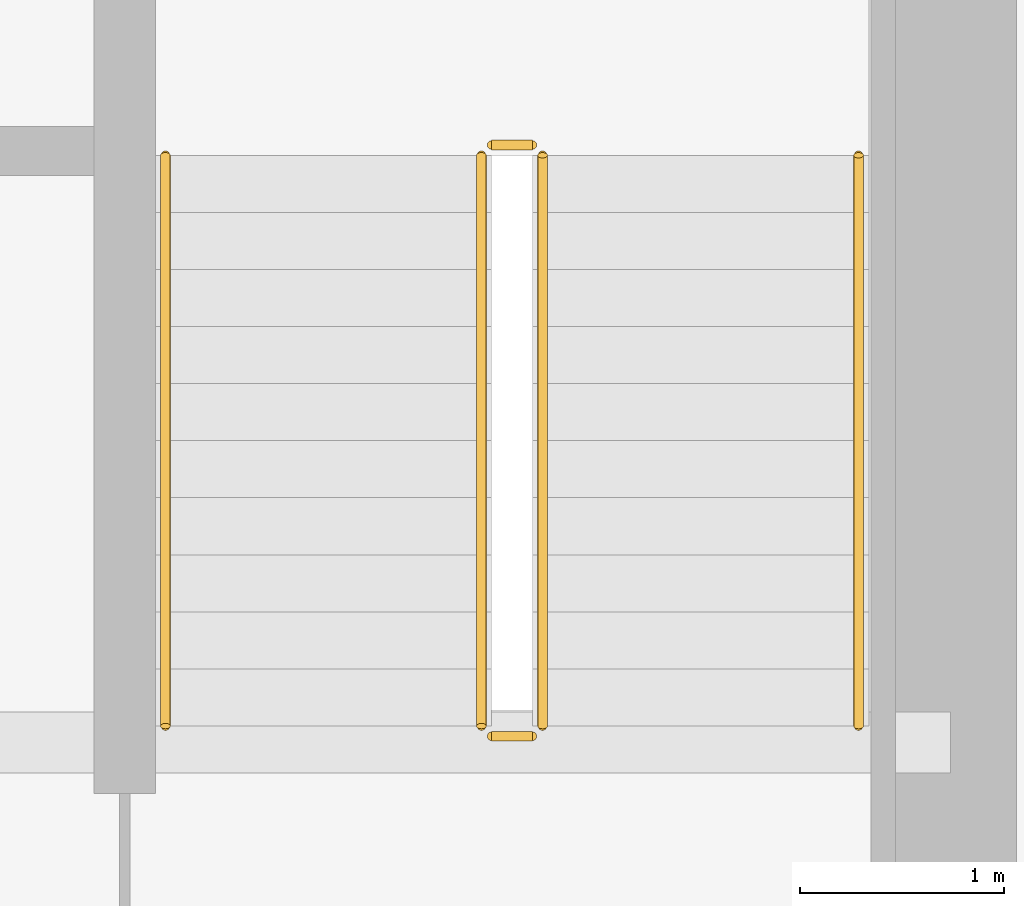
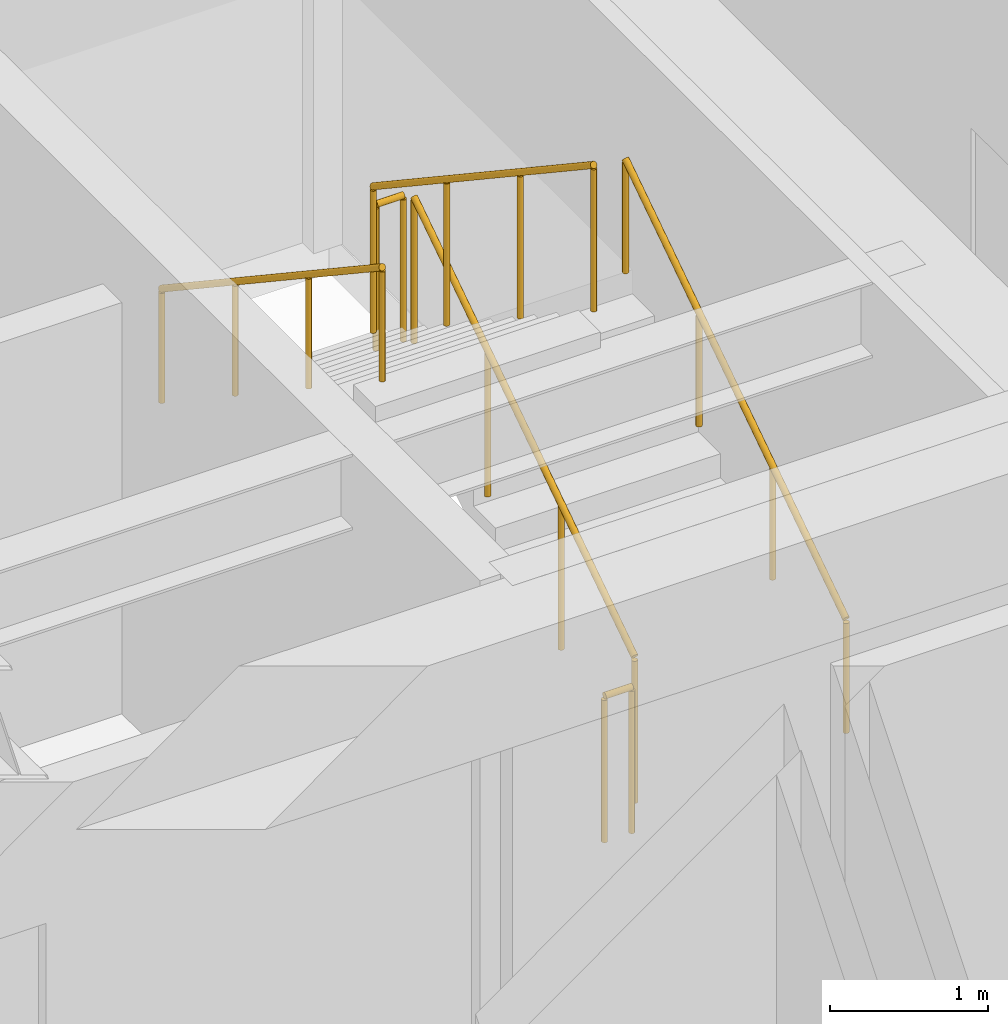
# One storey, part 30 of 30: 6 railings.
"""IFC4 building model written with IfcOpenShell, lengths in metres."""

from ifc_helpers import new_model, si_unit, direction, frame, origin, origin_2d, place, context, subcontext, project, spatial, circle, extrude, source, transform, mapped, material, type_object, type_shapes, element, save


model = new_model("IFC4")

# Units and contexts
model_context = context("Model", 3, precision=1e-05, world=origin(), true_north=direction((0.0, 1.0)))
body_context = subcontext(model_context, "Body", "Model", "MODEL_VIEW")
ifc_project = project(units=[si_unit("LENGTHUNIT", "METRE"), si_unit("AREAUNIT", "SQUARE_METRE"), si_unit("VOLUMEUNIT", "CUBIC_METRE"), si_unit("PLANEANGLEUNIT", "RADIAN"), si_unit("MASSUNIT", "GRAM", prefix="KILO")], contexts=[model_context])

# Site, building, storey
site_placement = place(None, origin())
site = spatial("IfcSite", under=ifc_project, at=site_placement, CompositionType="ELEMENT")
building_placement = place(site_placement, origin())
building = spatial("IfcBuilding", under=site, at=building_placement, Name="Haelvirn Gate Laboratories", CompositionType="ELEMENT")
storey_placement = place(building_placement, frame((0.0, 0.0, 162.5)))
storey = spatial("IfcBuildingStorey", under=building, at=storey_placement, Name="L39", CompositionType="ELEMENT", Elevation=162.5)

# Railings
ifc_material_1 = material(Name="Galvanised steel SM355 & stainless top rail", Category="steel")
railing_type_1 = type_object("IfcRailingType", Name="RL-GUARD-1150", PredefinedType="GUARDRAIL", material=ifc_material_1)
shared_shape_1 = source(origin(), body_context, "Body", "SweptSolid", [
    extrude(circle(Radius=0.02392578125, at=origin_2d()), frame((0.0, 0.0, 1.1259765625), z_axis=(0.0, -0.832452072856, 0.554097055034), x_axis=(1.0, 0.0, 0.0)), (0.0, 0.0, 1.0), 3.363525390625),
    extrude(circle(Radius=0.02099609375, at=origin_2d()), origin(), (0.0, 0.0, 1.0), 1.101806640625),
    extrude(circle(Radius=0.02099609375, at=origin_2d()), frame((0.0, -0.933349609375, 0.621337890625)), (0.0, 0.0, 1.0), 1.101806640625),
    extrude(circle(Radius=0.02099609375, at=origin_2d()), frame((0.0, -1.86669921875, 1.242431640625)), (0.0, 0.0, 1.0), 1.101806640625),
    extrude(circle(Radius=0.02099609375, at=origin_2d()), frame((0.0, -2.800048828125, 1.86376953125)), (0.0, 0.0, 1.0), 1.101806640625),
])
railing_1_placement = place(storey_placement, frame((65.10009765625, 29.5, 2.236328125)))
element("IfcRailing", 1, at=railing_1_placement, inside=storey, type_object=railing_type_1, Name="L39 ST2 stair guard 3", PredefinedType="GUARDRAIL", context=body_context, shape_type="MappedRepresentation", body=[
    mapped(shared_shape_1, transform((0.0, 0.0, 0.0), scale=1.0)),
])
ifc_material_2 = material(Name="Brushed stainless steel 316L", Category="steel")
railing_type_2 = type_object("IfcRailingType", Name="RL-HAND-920", PredefinedType="HANDRAIL", material=ifc_material_2)
shared_shape_2 = source(origin(), body_context, "Body", "SweptSolid", [
    extrude(circle(Radius=0.02392578125, at=origin_2d()), frame((0.0, 0.0, 0.8759765625), z_axis=(0.0, -0.832452072856, 0.554097055034), x_axis=(1.0, 0.0, 0.0)), (0.0, 0.0, 1.0), 3.363525390625),
    extrude(circle(Radius=0.02099609375, at=origin_2d()), origin(), (0.0, 0.0, 1.0), 0.851806640625),
    extrude(circle(Radius=0.02099609375, at=origin_2d()), frame((0.0, -0.933349609375, 0.621337890625)), (0.0, 0.0, 1.0), 0.851806640625),
    extrude(circle(Radius=0.02099609375, at=origin_2d()), frame((0.0, -1.86669921875, 1.242431640625)), (0.0, 0.0, 1.0), 0.851806640625),
    extrude(circle(Radius=0.02099609375, at=origin_2d()), frame((0.0, -2.800048828125, 1.86376953125)), (0.0, 0.0, 1.0), 0.851806640625),
])
railing_2_placement = place(storey_placement, frame((63.550048828125, 29.5, 2.236328125)))
element("IfcRailing", 2, at=railing_2_placement, inside=storey, type_object=railing_type_2, Name="L39 ST2 stair handrail 2", PredefinedType="HANDRAIL", context=body_context, shape_type="MappedRepresentation", body=[
    mapped(shared_shape_2, transform((0.0, 0.0, 0.0), scale=1.0)),
])
shared_shape_3 = source(origin(), body_context, "Body", "SweptSolid", [
    extrude(circle(Radius=0.02392578125, at=origin_2d()), frame((0.0, 0.0, 1.1259765625), z_axis=(0.0, 0.832452072856, 0.554097055034), x_axis=(-1.0, 0.0, 0.0)), (0.0, 0.0, 1.0), 3.363525390625),
    extrude(circle(Radius=0.02099609375, at=origin_2d()), origin(), (0.0, 0.0, 1.0), 1.101806640625),
    extrude(circle(Radius=0.02099609375, at=origin_2d()), frame((0.0, 0.933349609375, 0.621337890625)), (0.0, 0.0, 1.0), 1.101806640625),
    extrude(circle(Radius=0.02099609375, at=origin_2d()), frame((0.0, 1.86669921875, 1.242431640625)), (0.0, 0.0, 1.0), 1.101806640625),
    extrude(circle(Radius=0.02099609375, at=origin_2d()), frame((0.0, 2.800048828125, 1.86376953125)), (0.0, 0.0, 1.0), 1.101806640625),
])
railing_3_placement = place(storey_placement, frame((65.39990234375, 26.699951171875, 0.186279296875)))
element("IfcRailing", 3, at=railing_3_placement, inside=storey, type_object=railing_type_1, Name="L39 ST2 stair guard 1", PredefinedType="GUARDRAIL", context=body_context, shape_type="MappedRepresentation", body=[
    mapped(shared_shape_3, transform((0.0, 0.0, 0.0), scale=1.0)),
])
shared_shape_4 = source(origin(), body_context, "Body", "SweptSolid", [
    extrude(circle(Radius=0.02392578125, at=origin_2d()), frame((0.0, 0.0, 0.8759765625), z_axis=(0.0, 0.832452072856, 0.554097055034), x_axis=(-1.0, 0.0, 0.0)), (0.0, 0.0, 1.0), 3.363525390625),
    extrude(circle(Radius=0.02099609375, at=origin_2d()), origin(), (0.0, 0.0, 1.0), 0.851806640625),
    extrude(circle(Radius=0.02099609375, at=origin_2d()), frame((0.0, 0.933349609375, 0.621337890625)), (0.0, 0.0, 1.0), 0.851806640625),
    extrude(circle(Radius=0.02099609375, at=origin_2d()), frame((0.0, 1.86669921875, 1.242431640625)), (0.0, 0.0, 1.0), 0.851806640625),
    extrude(circle(Radius=0.02099609375, at=origin_2d()), frame((0.0, 2.800048828125, 1.86376953125)), (0.0, 0.0, 1.0), 0.851806640625),
])
type_shapes(railing_type_2, [shared_shape_2, shared_shape_4])
railing_4_placement = place(storey_placement, frame((66.949951171875, 26.699951171875, 0.186279296875)))
element("IfcRailing", 4, at=railing_4_placement, inside=storey, type_object=railing_type_2, Name="L39 ST2 stair handrail 1", PredefinedType="HANDRAIL", context=body_context, shape_type="MappedRepresentation", body=[
    mapped(shared_shape_4, transform((0.0, 0.0, 0.0), scale=1.0)),
])
shared_shape_5 = source(origin(), body_context, "Body", "SweptSolid", [
    extrude(circle(Radius=0.02392578125, at=origin_2d()), frame((0.0, 0.0, 1.1259765625), z_axis=(-1.0, 0.0, 0.0), x_axis=(0.0, -1.0, 0.0)), (0.0, 0.0, 1.0), 0.2001953125),
    extrude(circle(Radius=0.02099609375, at=origin_2d()), origin(), (0.0, 0.0, 1.0), 1.101806640625),
    extrude(circle(Radius=0.02099609375, at=origin_2d()), frame((-0.2001953125, 0.0, 0.0)), (0.0, 0.0, 1.0), 1.101806640625),
])
type_shapes(railing_type_1, [shared_shape_1, shared_shape_3, shared_shape_5])
for number, where, name in (
    (5, (65.35009765625, 29.550048828125, 2.050048828125), "L39 ST2 stair guard 2"),
    (6, (65.35009765625, 26.64990234375, 0.0), "L39 ST2 stair guard 4"),
):
    element("IfcRailing", number, at=place(storey_placement, frame(where)), inside=storey, type_object=railing_type_1, Name=name, PredefinedType="GUARDRAIL", context=body_context, shape_type="MappedRepresentation", body=[
        mapped(shared_shape_5, transform((0.0, 0.0, 0.0), scale=1.0)),
    ])

save(model, "model.ifc")
